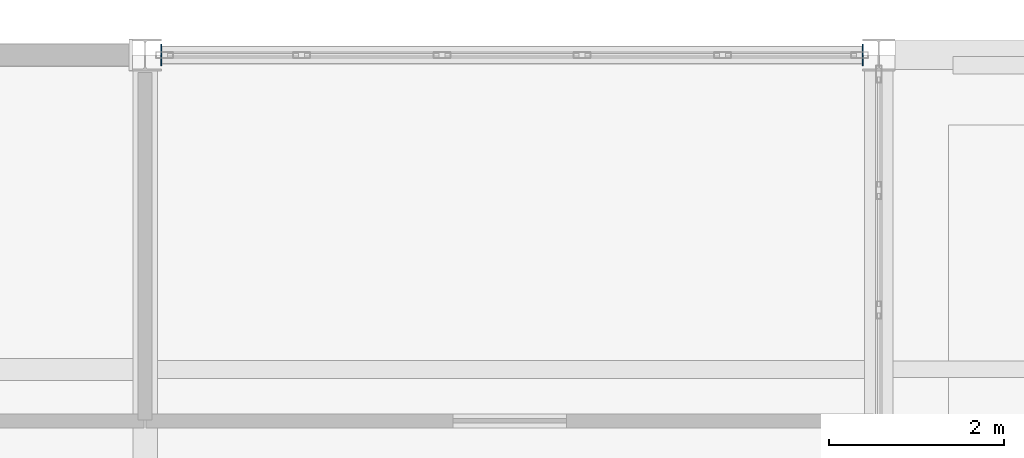
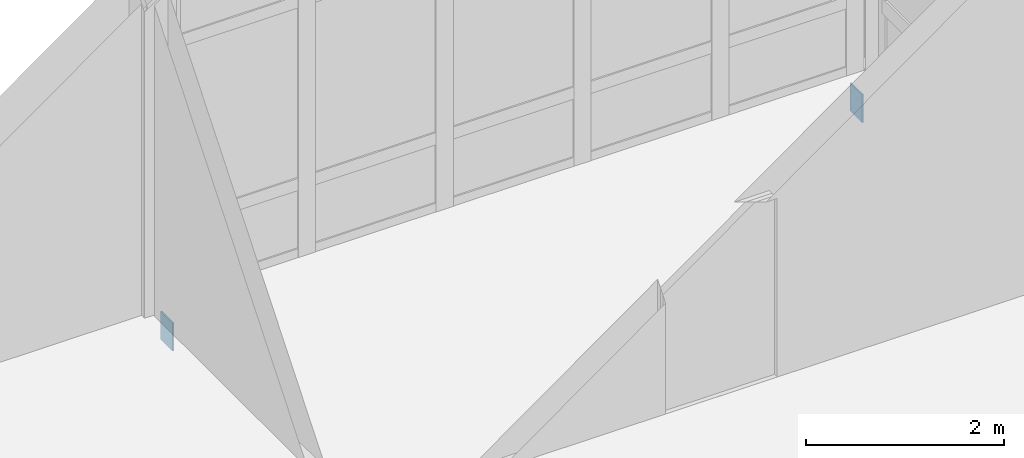
# One storey, part 151 of 186: 2 plates.
"""IFC4 building model written with IfcOpenShell, lengths in metres."""

from ifc_helpers import new_model, si_unit, direction, frame, origin, origin_2d, place, context, subcontext, project, spatial, rectangle, extrude, material, layer, layer_set, type_object, element, save


model = new_model("IFC4")

# Units and contexts
model_context = context("Model", 3, precision=1e-05, world=origin(), true_north=direction((0.0, 1.0)))
body_context = subcontext(model_context, "Body", "Model", "MODEL_VIEW")
ifc_project = project(units=[si_unit("LENGTHUNIT", "METRE"), si_unit("AREAUNIT", "SQUARE_METRE"), si_unit("VOLUMEUNIT", "CUBIC_METRE"), si_unit("PLANEANGLEUNIT", "RADIAN"), si_unit("MASSUNIT", "GRAM", prefix="KILO")], contexts=[model_context])

# Site, building, storey
site_placement = place(None, origin())
site = spatial("IfcSite", under=ifc_project, at=site_placement, CompositionType="ELEMENT")
building_placement = place(site_placement, origin())
building = spatial("IfcBuilding", under=site, at=building_placement, Name="Calvrana Isthmian Art Gallery", CompositionType="ELEMENT")
storey_placement = place(building_placement, frame((0.0, 0.0, 5.39990234375)))
storey = spatial("IfcBuildingStorey", under=building, at=storey_placement, Name="L01", CompositionType="ELEMENT", Elevation=5.39990234375)

# Plates
ifc_material = material(Name="Steel ASTM A572 Gr 50", Category="steel")
ifc_layer = layer(ifc_material, 0.01611328125, Name="Steel ASTM A572 Gr 50")
ifc_layer_set = layer_set([ifc_layer], Name="Steel ASTM A572 Gr 50")
plate_type = type_object("IfcPlateType", Name="PL-CAP-16", PredefinedType="SHEET", material=ifc_layer_set)
for number, where, z_axis, x_axis, name in (
    (1, (55.385498046875, 112.800048828125, -0.569580078125), (0.0, 0.0, 1.0), (1.0, 0.0, 0.0), "Hollow section end cap plate 435"),
    (2, (63.416015625, 112.800048828125, -0.569580078125), (0.0, 0.0, 1.0), (1.0, 0.0, 0.0), "Hollow section end cap plate 436"),
):
    element("IfcPlate", number, at=place(storey_placement, frame(where, z_axis=z_axis, x_axis=x_axis)), inside=storey, type_object=plate_type, Name=name, PredefinedType="SHEET", context=body_context, shape_type="SweptSolid", body=[
        extrude(rectangle(XDim=0.01611328125, YDim=0.2431640625, at=origin_2d()), origin(), (0.0, 0.0, 1.0), 0.3447265625),
    ])

save(model, "model.ifc")
